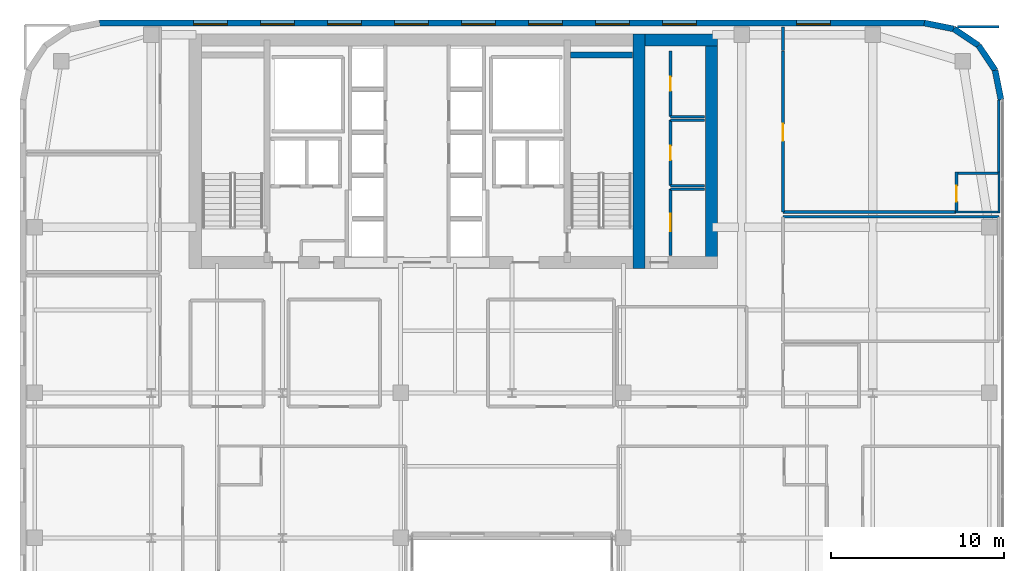
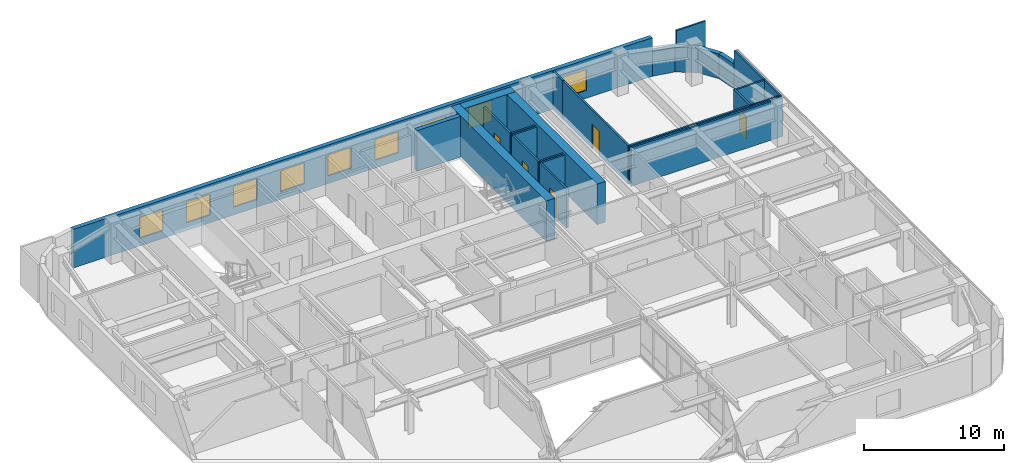
# One storey, part 22 of 25: 26 walls, 9 windows, 5 doors, 14 openings.
"""IFC4 building model written with IfcOpenShell, lengths in metres."""

from ifc_helpers import new_model, si_unit, direction, frame, frame_2d, origin, place, context, subcontext, project, spatial, rectangle, extrude, source, transform, mapped, material, layer, layer_set, type_object, type_shapes, element, fill, save


model = new_model("IFC4")

# Units and contexts
model_context = context("Model", 3, precision=1e-05, world=origin(), true_north=direction((0.0, 1.0)))
body_context = subcontext(model_context, "Body", "Model", "MODEL_VIEW")
ifc_project = project(units=[si_unit("LENGTHUNIT", "METRE"), si_unit("AREAUNIT", "SQUARE_METRE"), si_unit("VOLUMEUNIT", "CUBIC_METRE"), si_unit("PLANEANGLEUNIT", "RADIAN"), si_unit("MASSUNIT", "GRAM", prefix="KILO")], contexts=[model_context])

# Site, building, storey
site_placement = place(None, origin())
site = spatial("IfcSite", under=ifc_project, at=site_placement, CompositionType="ELEMENT")
building_placement = place(site_placement, origin())
building = spatial("IfcBuilding", under=site, at=building_placement, Name="Tolvann Quenvar Hotel", CompositionType="ELEMENT")
storey_placement = place(building_placement, frame((0.0, 0.0, 122.199951171875)))
storey = spatial("IfcBuildingStorey", under=building, at=storey_placement, Name="L31", CompositionType="ELEMENT", Elevation=122.199951171875)

# Walls
ifc_material_1 = material(Name="Concrete S65 (65 MPa)", Category="concrete")
ifc_layer_1 = layer(ifc_material_1, 0.699951171875)
ifc_layer_set_1 = layer_set([ifc_layer_1], Name="Concrete S65 (65 MPa)")
wall_type_1 = type_object("IfcWallType", Name="WALL_CORE_700", PredefinedType="SHEAR", material=ifc_layer_set_1)
wall_1_placement = place(storey_placement, frame((35.85009765625, 31.60009765625, 0.0), z_axis=(0.0, 0.0, 1.0), x_axis=(0.0, 1.0, 0.0)))
element("IfcWall", 1, at=wall_1_placement, inside=storey, type_object=wall_type_1, Name="Rear Core E Shear Wall (L31)", PredefinedType="SHEAR", context=body_context, shape_type="SweptSolid", body=[
    extrude(rectangle(XDim=13.599853515625, YDim=0.699951171875, at=frame_2d((6.7998046875, 0.0))), origin(), (0.0, 0.0, 1.0), 3.550048828125),
])
wall_2_placement = place(storey_placement, frame((36.199951171875, 44.85009765625, 0.0), z_axis=(0.0, 0.0, 1.0), x_axis=(1.0, 0.0, 0.0)))
element("IfcWall", 2, at=wall_2_placement, inside=storey, type_object=wall_type_1, Name="Core East Annex Shear Wall ANN-N (L31)", PredefinedType="SHEAR", context=body_context, shape_type="SweptSolid", body=[
    extrude(rectangle(XDim=4.199951171875, YDim=0.699951171875, at=frame_2d((2.10009765625, 0.0))), origin(), (0.0, 0.0, 1.0), 3.550048828125),
])
wall_3_placement = place(storey_placement, frame((40.050048828125, 31.60009765625, 0.0), z_axis=(0.0, 0.0, 1.0), x_axis=(0.0, 1.0, 0.0)))
element("IfcWall", 3, at=wall_3_placement, inside=storey, type_object=wall_type_1, Name="Core East Annex Shear Wall ANN-E (L31)", PredefinedType="SHEAR", context=body_context, shape_type="SweptSolid", body=[
    extrude(rectangle(XDim=13.599853515625, YDim=0.699951171875, at=frame_2d((6.7998046875, 0.0))), origin(), (0.0, 0.0, 1.0), 3.550048828125),
])
ifc_layer_2 = layer(ifc_material_1, 0.35009765625)
ifc_layer_set_2 = layer_set([ifc_layer_2], Name="Concrete S65 (65 MPa)")
wall_type_2 = type_object("IfcWallType", Name="WALL_CORE_INT_350", PredefinedType="SHEAR", material=ifc_layer_set_2)
wall_4_placement = place(storey_placement, frame((31.8798828125, 43.97509765625, 0.0), z_axis=(0.0, 0.0, 1.0), x_axis=(1.0, 0.0, 0.0)))
element("IfcWall", 4, at=wall_4_placement, inside=storey, type_object=wall_type_2, Name="Core Stair North Closing Shear Wall STC2-N (L31)", PredefinedType="SHEAR", context=body_context, shape_type="SweptSolid", body=[
    extrude(rectangle(XDim=3.60009765625, YDim=0.35009765625, at=frame_2d((1.800048828125, 0.0))), origin(), (0.0, 0.0, 1.0), 3.550048828125),
])
ifc_material_2 = material(Name="Kiln-fired red and buff architectural clay brickwork and terracotta masonry", Category="masonry")
ifc_layer_3 = layer(ifc_material_2, 0.35009765625)
ifc_layer_set_3 = layer_set([ifc_layer_3], Name="Kiln-fired red and buff architectural clay brickwork and terracotta masonry")
wall_type_3 = type_object("IfcWallType", Name="WALL_EXT_BRICK_350", PredefinedType="SOLIDWALL", material=ifc_layer_set_3)
wall_5_placement = place(storey_placement, frame((56.824951171875, 41.3828125, 0.0), z_axis=(0.0, 0.0, 1.0), x_axis=(-0.195011420161, 0.980800971659, 0.0)))
element("IfcWall", 5, at=wall_5_placement, inside=storey, type_object=wall_type_3, Name="Exterior Chicago Brick Wall L31-E14", PredefinedType="SOLIDWALL", context=body_context, shape_type="SweptSolid", body=[
    extrude(rectangle(XDim=1.74267578125, YDim=0.35009765625, at=frame_2d((0.871337890625, 0.0))), origin(), (0.0, 0.0, 1.0), 2.16015625),
])
for number, where, z_axis, x_axis, name in (
    (6, (56.485107421875, 43.092041015625, 0.0), (0.0, 0.0, 1.0), (-0.55554893791, 0.831483840845, 0.0), "Exterior Chicago Brick Wall L31-E15"),
    (7, (55.526611328125, 44.526611328125, 0.0), (0.0, 0.0, 1.0), (-0.831483840845, 0.55554893791, 0.0), "Exterior Chicago Brick Wall L31-E16"),
):
    element("IfcWall", number, at=place(storey_placement, frame(where, z_axis=z_axis, x_axis=x_axis)), inside=storey, type_object=wall_type_3, Name=name, PredefinedType="SOLIDWALL", context=body_context, shape_type="SweptSolid", body=[
        extrude(rectangle(XDim=1.725341796875, YDim=0.35009765625, at=frame_2d((0.86279296875, 0.0))), origin(), (0.0, 0.0, 1.0), 2.16015625),
    ])
wall_6_placement = place(storey_placement, frame((54.092041015625, 45.485107421875, 0.0), z_axis=(0.0, 0.0, 1.0), x_axis=(-0.980800971659, 0.195011420161, 0.0)))
element("IfcWall", 8, at=wall_6_placement, inside=storey, type_object=wall_type_3, Name="Exterior Chicago Brick Wall L31-E17", PredefinedType="SOLIDWALL", context=body_context, shape_type="SweptSolid", body=[
    extrude(rectangle(XDim=1.74267578125, YDim=0.35009765625, at=frame_2d((0.871337890625, 0.0))), origin(), (0.0, 0.0, 1.0), 2.16015625),
])

# Wall, openings, windows
wall_7_placement = place(storey_placement, frame((52.3828125, 45.824951171875, 0.0), z_axis=(0.0, 0.0, 1.0), x_axis=(-1.0, 0.0, 0.0)))
wall_7 = element("IfcWall", 9, at=wall_7_placement, inside=storey, type_object=wall_type_3, Name="Exterior Chicago Brick Wall L31-E18", PredefinedType="SOLIDWALL", context=body_context, shape_type="SweptSolid", body=[
    extrude(rectangle(XDim=47.765625, YDim=0.35009765625, at=frame_2d((23.8828125, 0.0))), origin(), (0.0, 0.0, 1.0), 3.3701171875),
])
opening_1_placement = place(wall_7_placement, frame((5.446044921875, 0.0, 0.679931640625)))
opening_1 = element("IfcOpeningElement", 10, at=opening_1_placement, cuts=wall_7, Name="Opening W-10", PredefinedType="OPENING", context=body_context, shape_type="SweptSolid", body=[
    extrude(rectangle(XDim=1.949951171875, YDim=1.820068359375, at=frame_2d((0.97509765625, 0.91015625))), frame((0.0, 0.18505859375, 0.0), z_axis=(0.0, -1.0, 0.0), x_axis=(1.0, 0.0, 0.0)), (0.0, 0.0, 1.0), 0.3701171875),
])
opening_2_placement = place(wall_7_placement, frame((13.20703125, 0.0, 0.679931640625)))
opening_2 = element("IfcOpeningElement", 11, at=opening_2_placement, cuts=wall_7, Name="Opening W-10", PredefinedType="OPENING", context=body_context, shape_type="SweptSolid", body=[
    extrude(rectangle(XDim=1.949951171875, YDim=1.820068359375, at=frame_2d((0.97509765625, 0.91015625))), frame((0.0, 0.18505859375, 0.0), z_axis=(0.0, -1.0, 0.0), x_axis=(1.0, 0.0, 0.0)), (0.0, 0.0, 1.0), 0.3701171875),
])
opening_3_placement = place(wall_7_placement, frame((17.0869140625, 0.0, 0.679931640625)))
opening_3 = element("IfcOpeningElement", 12, at=opening_3_placement, cuts=wall_7, Name="Opening W-10", PredefinedType="OPENING", context=body_context, shape_type="SweptSolid", body=[
    extrude(rectangle(XDim=1.949951171875, YDim=1.820068359375, at=frame_2d((0.97509765625, 0.91015625))), frame((0.0, 0.18505859375, 0.0), z_axis=(0.0, -1.0, 0.0), x_axis=(1.0, 0.0, 0.0)), (0.0, 0.0, 1.0), 0.3701171875),
])
opening_4_placement = place(wall_7_placement, frame((20.968017578125, 0.0, 0.679931640625)))
opening_4 = element("IfcOpeningElement", 13, at=opening_4_placement, cuts=wall_7, Name="Opening W-10", PredefinedType="OPENING", context=body_context, shape_type="SweptSolid", body=[
    extrude(rectangle(XDim=1.949951171875, YDim=1.820068359375, at=frame_2d((0.97509765625, 0.91015625))), frame((0.0, 0.18505859375, 0.0), z_axis=(0.0, -1.0, 0.0), x_axis=(1.0, 0.0, 0.0)), (0.0, 0.0, 1.0), 0.3701171875),
])
opening_5_placement = place(wall_7_placement, frame((24.847900390625, 0.0, 0.679931640625)))
opening_5 = element("IfcOpeningElement", 14, at=opening_5_placement, cuts=wall_7, Name="Opening W-10", PredefinedType="OPENING", context=body_context, shape_type="SweptSolid", body=[
    extrude(rectangle(XDim=1.949951171875, YDim=1.820068359375, at=frame_2d((0.97509765625, 0.91015625))), frame((0.0, 0.18505859375, 0.0), z_axis=(0.0, -1.0, 0.0), x_axis=(1.0, 0.0, 0.0)), (0.0, 0.0, 1.0), 0.3701171875),
])
opening_6_placement = place(wall_7_placement, frame((28.72900390625, 0.0, 0.679931640625)))
opening_6 = element("IfcOpeningElement", 15, at=opening_6_placement, cuts=wall_7, Name="Opening W-10", PredefinedType="OPENING", context=body_context, shape_type="SweptSolid", body=[
    extrude(rectangle(XDim=1.949951171875, YDim=1.820068359375, at=frame_2d((0.97509765625, 0.91015625))), frame((0.0, 0.18505859375, 0.0), z_axis=(0.0, -1.0, 0.0), x_axis=(1.0, 0.0, 0.0)), (0.0, 0.0, 1.0), 0.3701171875),
])
opening_7_placement = place(wall_7_placement, frame((32.60888671875, 0.0, 0.679931640625)))
opening_7 = element("IfcOpeningElement", 16, at=opening_7_placement, cuts=wall_7, Name="Opening W-10", PredefinedType="OPENING", context=body_context, shape_type="SweptSolid", body=[
    extrude(rectangle(XDim=1.949951171875, YDim=1.820068359375, at=frame_2d((0.97509765625, 0.91015625))), frame((0.0, 0.18505859375, 0.0), z_axis=(0.0, -1.0, 0.0), x_axis=(1.0, 0.0, 0.0)), (0.0, 0.0, 1.0), 0.3701171875),
])
opening_8_placement = place(wall_7_placement, frame((36.489013671875, 0.0, 0.679931640625)))
opening_8 = element("IfcOpeningElement", 17, at=opening_8_placement, cuts=wall_7, Name="Opening W-10", PredefinedType="OPENING", context=body_context, shape_type="SweptSolid", body=[
    extrude(rectangle(XDim=1.949951171875, YDim=1.820068359375, at=frame_2d((0.97509765625, 0.91015625))), frame((0.0, 0.18505859375, 0.0), z_axis=(0.0, -1.0, 0.0), x_axis=(1.0, 0.0, 0.0)), (0.0, 0.0, 1.0), 0.3701171875),
])
opening_9_placement = place(wall_7_placement, frame((40.3701171875, 0.0, 0.679931640625)))
opening_9 = element("IfcOpeningElement", 18, at=opening_9_placement, cuts=wall_7, Name="Opening W-10", PredefinedType="OPENING", context=body_context, shape_type="SweptSolid", body=[
    extrude(rectangle(XDim=1.949951171875, YDim=1.820068359375, at=frame_2d((0.97509765625, 0.91015625))), frame((0.0, 0.18505859375, 0.0), z_axis=(0.0, -1.0, 0.0), x_axis=(1.0, 0.0, 0.0)), (0.0, 0.0, 1.0), 0.3701171875),
])
ifc_material_3 = material(Name="Thermally broken bronze-anodised aluminium frame with double low-E glazing", Category="aluminium")
window_type = type_object("IfcWindowType", Name="WIN_CLB_1950x1850", PartitioningType="DOUBLE_PANEL_VERTICAL", PredefinedType="WINDOW", material=ifc_material_3)
shared_shape_1 = source(origin(), body_context, "Body", "SweptSolid", [
    extrude(rectangle(XDim=1.949951171875, YDim=1.820068359375, at=frame_2d((0.97509765625, 0.91015625))), frame((0.0, 0.090087890625, 0.0), z_axis=(0.0, -1.0, 0.0), x_axis=(1.0, 0.0, 0.0)), (0.0, 0.0, 1.0), 0.06005859375),
])
type_shapes(window_type, [shared_shape_1])
window_1_placement = place(opening_1_placement, origin())
window_1 = element("IfcWindow", 19, at=window_1_placement, inside=storey, type_object=window_type, Name="Chicago Window W-10 (EW-L31-E18-W01)", OverallHeight=1.820068359375, OverallWidth=1.949951171875, PartitioningType="DOUBLE_PANEL_VERTICAL", PredefinedType="WINDOW", context=body_context, shape_type="MappedRepresentation", body=[
    mapped(shared_shape_1, transform((0.0, 0.0, 0.0), x_axis=(1.0, 0.0, 0.0), y_axis=(0.0, 1.0, 0.0), z_axis=(0.0, 0.0, 1.0), scale=1.0)),
])
fill(opening_1, window_1)
window_2_placement = place(opening_2_placement, origin())
window_2 = element("IfcWindow", 20, at=window_2_placement, inside=storey, type_object=window_type, Name="Chicago Window W-10 (EW-L31-E18-W02)", OverallHeight=1.820068359375, OverallWidth=1.949951171875, PartitioningType="DOUBLE_PANEL_VERTICAL", PredefinedType="WINDOW", context=body_context, shape_type="MappedRepresentation", body=[
    mapped(shared_shape_1, transform((0.0, 0.0, 0.0), x_axis=(1.0, 0.0, 0.0), y_axis=(0.0, 1.0, 0.0), z_axis=(0.0, 0.0, 1.0), scale=1.0)),
])
fill(opening_2, window_2)
window_3_placement = place(opening_3_placement, origin())
window_3 = element("IfcWindow", 21, at=window_3_placement, inside=storey, type_object=window_type, Name="Chicago Window W-10 (EW-L31-E18-W03)", OverallHeight=1.820068359375, OverallWidth=1.949951171875, PartitioningType="DOUBLE_PANEL_VERTICAL", PredefinedType="WINDOW", context=body_context, shape_type="MappedRepresentation", body=[
    mapped(shared_shape_1, transform((0.0, 0.0, 0.0), x_axis=(1.0, 0.0, 0.0), y_axis=(0.0, 1.0, 0.0), z_axis=(0.0, 0.0, 1.0), scale=1.0)),
])
fill(opening_3, window_3)
window_4_placement = place(opening_4_placement, origin())
window_4 = element("IfcWindow", 22, at=window_4_placement, inside=storey, type_object=window_type, Name="Chicago Window W-10 (EW-L31-E18-W04)", OverallHeight=1.820068359375, OverallWidth=1.949951171875, PartitioningType="DOUBLE_PANEL_VERTICAL", PredefinedType="WINDOW", context=body_context, shape_type="MappedRepresentation", body=[
    mapped(shared_shape_1, transform((0.0, 0.0, 0.0), x_axis=(1.0, 0.0, 0.0), y_axis=(0.0, 1.0, 0.0), z_axis=(0.0, 0.0, 1.0), scale=1.0)),
])
fill(opening_4, window_4)
window_5_placement = place(opening_5_placement, origin())
window_5 = element("IfcWindow", 23, at=window_5_placement, inside=storey, type_object=window_type, Name="Chicago Window W-10 (EW-L31-E18-W05)", OverallHeight=1.820068359375, OverallWidth=1.949951171875, PartitioningType="DOUBLE_PANEL_VERTICAL", PredefinedType="WINDOW", context=body_context, shape_type="MappedRepresentation", body=[
    mapped(shared_shape_1, transform((0.0, 0.0, 0.0), x_axis=(1.0, 0.0, 0.0), y_axis=(0.0, 1.0, 0.0), z_axis=(0.0, 0.0, 1.0), scale=1.0)),
])
fill(opening_5, window_5)
window_6_placement = place(opening_6_placement, origin())
window_6 = element("IfcWindow", 24, at=window_6_placement, inside=storey, type_object=window_type, Name="Chicago Window W-10 (EW-L31-E18-W06)", OverallHeight=1.820068359375, OverallWidth=1.949951171875, PartitioningType="DOUBLE_PANEL_VERTICAL", PredefinedType="WINDOW", context=body_context, shape_type="MappedRepresentation", body=[
    mapped(shared_shape_1, transform((0.0, 0.0, 0.0), x_axis=(1.0, 0.0, 0.0), y_axis=(0.0, 1.0, 0.0), z_axis=(0.0, 0.0, 1.0), scale=1.0)),
])
fill(opening_6, window_6)
window_7_placement = place(opening_7_placement, origin())
window_7 = element("IfcWindow", 25, at=window_7_placement, inside=storey, type_object=window_type, Name="Chicago Window W-10 (EW-L31-E18-W07)", OverallHeight=1.820068359375, OverallWidth=1.949951171875, PartitioningType="DOUBLE_PANEL_VERTICAL", PredefinedType="WINDOW", context=body_context, shape_type="MappedRepresentation", body=[
    mapped(shared_shape_1, transform((0.0, 0.0, 0.0), x_axis=(1.0, 0.0, 0.0), y_axis=(0.0, 1.0, 0.0), z_axis=(0.0, 0.0, 1.0), scale=1.0)),
])
fill(opening_7, window_7)
window_8_placement = place(opening_8_placement, origin())
window_8 = element("IfcWindow", 26, at=window_8_placement, inside=storey, type_object=window_type, Name="Chicago Window W-10 (EW-L31-E18-W08)", OverallHeight=1.820068359375, OverallWidth=1.949951171875, PartitioningType="DOUBLE_PANEL_VERTICAL", PredefinedType="WINDOW", context=body_context, shape_type="MappedRepresentation", body=[
    mapped(shared_shape_1, transform((0.0, 0.0, 0.0), x_axis=(1.0, 0.0, 0.0), y_axis=(0.0, 1.0, 0.0), z_axis=(0.0, 0.0, 1.0), scale=1.0)),
])
fill(opening_8, window_8)
window_9_placement = place(opening_9_placement, origin())
window_9 = element("IfcWindow", 27, at=window_9_placement, inside=storey, type_object=window_type, Name="Chicago Window W-10 (EW-L31-E18-W09)", OverallHeight=1.820068359375, OverallWidth=1.949951171875, PartitioningType="DOUBLE_PANEL_VERTICAL", PredefinedType="WINDOW", context=body_context, shape_type="MappedRepresentation", body=[
    mapped(shared_shape_1, transform((0.0, 0.0, 0.0), x_axis=(1.0, 0.0, 0.0), y_axis=(0.0, 1.0, 0.0), z_axis=(0.0, 0.0, 1.0), scale=1.0)),
])
fill(opening_9, window_9)

# Walls
ifc_material_4 = material(Name="Moisture-resistant acoustic plumbing wall assembly")
ifc_layer_4 = layer(ifc_material_4, 0.1201171875)
ifc_layer_set_4 = layer_set([ifc_layer_4], Name="Moisture-resistant acoustic plumbing wall assembly")
wall_type_4 = type_object("IfcWallType", Name="WALL_PART_BATH_120", PredefinedType="PLUMBINGWALL", material=ifc_layer_set_4)
wall_8_placement = place(storey_placement, frame((54.179931640625, 34.8798828125, 0.0), z_axis=(0.0, 0.0, 1.0), x_axis=(1.0, 0.0, 0.0)))
element("IfcWall", 28, at=wall_8_placement, inside=storey, type_object=wall_type_4, Name="Non-Rated Plumbing Partition PT-SPC-L31-ENS-NE01-S", PredefinedType="PLUMBINGWALL", context=body_context, shape_type="SweptSolid", body=[
    extrude(rectangle(XDim=2.590087890625, YDim=0.1201171875, at=frame_2d((1.294921875, 0.0))), origin(), (0.0, 0.0, 1.0), 3.3701171875),
])
wall_9_placement = place(storey_placement, frame((56.699951171875, 34.81005859375, 0.0), z_axis=(0.0, 0.0, 1.0), x_axis=(0.0, 1.0, 0.0)))
element("IfcWall", 29, at=wall_9_placement, inside=storey, type_object=wall_type_4, Name="Non-Rated Plumbing Partition PT-SPC-L31-ENS-NE01-E", PredefinedType="PLUMBINGWALL", context=body_context, shape_type="SweptSolid", body=[
    extrude(rectangle(XDim=2.389892578125, YDim=0.1201171875, at=frame_2d((1.19482421875, 0.0))), origin(), (0.0, 0.0, 1.0), 3.3701171875),
])

# Wall, opening, door
ifc_material_5 = material(Name="Acoustic twin-stud fire-rated gypsum plasterboard partition")
ifc_layer_5 = layer(ifc_material_5, 0.14990234375)
ifc_layer_set_5 = layer_set([ifc_layer_5], Name="Acoustic twin-stud fire-rated gypsum plasterboard partition")
wall_type_5 = type_object("IfcWallType", Name="WALL_PART_SUITE_150", PredefinedType="PARTITIONING", material=ifc_layer_set_5)
wall_10_placement = place(storey_placement, frame((54.25, 34.81005859375, 0.0), z_axis=(0.0, 0.0, 1.0), x_axis=(0.0, 1.0, 0.0)))
wall_10 = element("IfcWall", 30, at=wall_10_placement, inside=storey, type_object=wall_type_5, Name="Interior Partition PT-SPC-L31-ENS-NE01-ENT", PredefinedType="PARTITIONING", context=body_context, shape_type="SweptSolid", body=[
    extrude(rectangle(XDim=2.389892578125, YDim=0.14990234375, at=frame_2d((1.19482421875, 0.0))), origin(), (0.0, 0.0, 1.0), 3.3701171875),
])
opening_10_placement = place(wall_10_placement, frame((0.6650390625, 0.0, 0.0)))
opening_10 = element("IfcOpeningElement", 31, at=opening_10_placement, cuts=wall_10, Name="Opening WD-01", PredefinedType="OPENING", context=body_context, shape_type="SweptSolid", body=[
    extrude(rectangle(XDim=0.919921875, YDim=2.010009765625, at=frame_2d((0.4599609375, 1.0048828125))), frame((0.0, 0.0849609375, 0.0), z_axis=(0.0, -1.0, 0.0), x_axis=(1.0, 0.0, 0.0)), (0.0, 0.0, 1.0), 0.169921875),
])
ifc_material_6 = material(Name="Solid-core American oak acoustic fire door leaf in steel frame", Category="steel")
door_type_1 = type_object("IfcDoorType", Name="DOOR_WC_920", OperationType="NOTDEFINED", PredefinedType="DOOR", material=ifc_material_6)
shared_shape_2 = source(origin(), body_context, "Body", "SweptSolid", [
    extrude(rectangle(XDim=0.919921875, YDim=2.010009765625, at=frame_2d((0.4599609375, 1.0048828125))), frame((0.0, 0.02490234375, 0.0), z_axis=(0.0, -1.0, 0.0), x_axis=(1.0, 0.0, 0.0)), (0.0, 0.0, 1.0), 0.050048828125),
])
type_shapes(door_type_1, [shared_shape_2])
door_1_placement = place(opening_10_placement, origin())
door_1 = element("IfcDoor", 32, at=door_1_placement, inside=storey, type_object=door_type_1, Name="Interior Door DOOR-SPC-L31-ENS-NE01", OperationType="SINGLE_SWING_LEFT", OverallHeight=2.010009765625, OverallWidth=0.919921875, PredefinedType="DOOR", context=body_context, shape_type="MappedRepresentation", body=[
    mapped(shared_shape_2, transform((0.0, 0.0, 0.0), x_axis=(1.0, 0.0, 0.0), y_axis=(0.0, 1.0, 0.0), z_axis=(0.0, 0.0, 1.0), scale=1.0)),
])
fill(opening_10, door_1)

# Walls
wall_11_placement = place(storey_placement, frame((54.179931640625, 37.1298828125, 0.0), z_axis=(0.0, 0.0, 1.0), x_axis=(1.0, 0.0, 0.0)))
element("IfcWall", 33, at=wall_11_placement, inside=storey, type_object=wall_type_5, Name="Interior Partition PT-SPC-L31-ENS-NE01-N", PredefinedType="PARTITIONING", context=body_context, shape_type="SweptSolid", body=[
    extrude(rectangle(XDim=2.590087890625, YDim=0.14990234375, at=frame_2d((1.294921875, 0.0))), origin(), (0.0, 0.0, 1.0), 3.3701171875),
])
wall_12_placement = place(storey_placement, frame((37.679931640625, 36.199951171875, 0.0), z_axis=(0.0, 0.0, 1.0), x_axis=(1.0, 0.0, 0.0)))
element("IfcWall", 34, at=wall_12_placement, inside=storey, type_object=wall_type_5, Name="Interior Partition PT-SPC-L31-RECPL-1-N", PredefinedType="PARTITIONING", context=body_context, shape_type="SweptSolid", body=[
    extrude(rectangle(XDim=1.965087890625, YDim=0.14990234375, at=frame_2d((0.982421875, 0.0))), origin(), (0.0, 0.0, 1.0), 3.3701171875),
])

# Wall, opening, door
wall_13_placement = place(storey_placement, frame((37.679931640625, 32.35498046875, 0.0), z_axis=(0.0, 0.0, 1.0), x_axis=(0.0, 1.0, 0.0)))
wall_13 = element("IfcWall", 35, at=wall_13_placement, inside=storey, type_object=wall_type_5, Name="Interior Partition PT-SPC-L31-RECPL-1-W", PredefinedType="PARTITIONING", context=body_context, shape_type="SweptSolid", body=[
    extrude(rectangle(XDim=3.844970703125, YDim=0.14990234375, at=frame_2d((1.92236328125, 0.0))), origin(), (0.0, 0.0, 1.0), 3.3701171875),
])
opening_11_placement = place(wall_13_placement, frame((1.41259765625, 0.0, 0.0)))
opening_11 = element("IfcOpeningElement", 36, at=opening_11_placement, cuts=wall_13, Name="Opening HD-01", PredefinedType="OPENING", context=body_context, shape_type="SweptSolid", body=[
    extrude(rectangle(XDim=1.02001953125, YDim=2.030029296875, at=frame_2d((0.510009765625, 1.01513671875))), frame((0.0, 0.0849609375, 0.0), z_axis=(0.0, -1.0, 0.0), x_axis=(1.0, 0.0, 0.0)), (0.0, 0.0, 1.0), 0.169921875),
])
ifc_material_7 = material(Name="Pressed galvanised steel fire-rated door set", Category="steel")
door_type_2 = type_object("IfcDoorType", Name="DOOR_BOH_1020", OperationType="NOTDEFINED", PredefinedType="DOOR", material=ifc_material_7)
shared_shape_3 = source(origin(), body_context, "Body", "SweptSolid", [
    extrude(rectangle(XDim=1.02001953125, YDim=2.030029296875, at=frame_2d((0.510009765625, 1.01513671875))), frame((0.0, 0.02490234375, 0.0), z_axis=(0.0, -1.0, 0.0), x_axis=(1.0, 0.0, 0.0)), (0.0, 0.0, 1.0), 0.050048828125),
])
type_shapes(door_type_2, [shared_shape_3])
door_2_placement = place(opening_11_placement, origin())
door_2 = element("IfcDoor", 37, at=door_2_placement, inside=storey, type_object=door_type_2, Name="Interior Door DOOR-SPC-L31-RECPL-1", OperationType="SINGLE_SWING_RIGHT", OverallHeight=2.030029296875, OverallWidth=1.02001953125, PredefinedType="DOOR", context=body_context, shape_type="MappedRepresentation", body=[
    mapped(shared_shape_3, transform((0.0, 0.0, 0.0), x_axis=(1.0, 0.0, 0.0), y_axis=(0.0, 1.0, 0.0), z_axis=(0.0, 0.0, 1.0), scale=1.0)),
])
fill(opening_11, door_2)

# Walls
for number, where, z_axis, x_axis, name in (
    (38, (37.679931640625, 36.39990234375, 0.0), (0.0, 0.0, 1.0), (1.0, 0.0, 0.0), "Interior Partition PT-SPC-L31-CSE-1-S"),
    (39, (37.679931640625, 40.199951171875, 0.0), (0.0, 0.0, 1.0), (1.0, 0.0, 0.0), "Interior Partition PT-SPC-L31-CSE-1-N"),
):
    element("IfcWall", number, at=place(storey_placement, frame(where, z_axis=z_axis, x_axis=x_axis)), inside=storey, type_object=wall_type_5, Name=name, PredefinedType="PARTITIONING", context=body_context, shape_type="SweptSolid", body=[
        extrude(rectangle(XDim=1.965087890625, YDim=0.14990234375, at=frame_2d((0.982421875, 0.0))), origin(), (0.0, 0.0, 1.0), 3.3701171875),
    ])

# Wall, opening, door
wall_14_placement = place(storey_placement, frame((37.679931640625, 36.39990234375, 0.0), z_axis=(0.0, 0.0, 1.0), x_axis=(0.0, 1.0, 0.0)))
wall_14 = element("IfcWall", 40, at=wall_14_placement, inside=storey, type_object=wall_type_5, Name="Interior Partition PT-SPC-L31-CSE-1-W", PredefinedType="PARTITIONING", context=body_context, shape_type="SweptSolid", body=[
    extrude(rectangle(XDim=3.800048828125, YDim=0.14990234375, at=frame_2d((1.89990234375, 0.0))), origin(), (0.0, 0.0, 1.0), 3.3701171875),
])
opening_12_placement = place(wall_14_placement, frame((1.489990234375, 0.0, 0.0)))
opening_12 = element("IfcOpeningElement", 41, at=opening_12_placement, cuts=wall_14, Name="Opening HD-02", PredefinedType="OPENING", context=body_context, shape_type="SweptSolid", body=[
    extrude(rectangle(XDim=0.820068359375, YDim=2.010009765625, at=frame_2d((0.41015625, 1.0048828125))), frame((0.0, 0.0849609375, 0.0), z_axis=(0.0, -1.0, 0.0), x_axis=(1.0, 0.0, 0.0)), (0.0, 0.0, 1.0), 0.169921875),
])
door_type_3 = type_object("IfcDoorType", Name="DOOR_STORE_820", OperationType="NOTDEFINED", PredefinedType="DOOR", material=ifc_material_7)
shared_shape_4 = source(origin(), body_context, "Body", "SweptSolid", [
    extrude(rectangle(XDim=0.820068359375, YDim=2.010009765625, at=frame_2d((0.41015625, 1.0048828125))), frame((0.0, 0.02490234375, 0.0), z_axis=(0.0, -1.0, 0.0), x_axis=(1.0, 0.0, 0.0)), (0.0, 0.0, 1.0), 0.050048828125),
])
type_shapes(door_type_3, [shared_shape_4])
door_3_placement = place(opening_12_placement, origin())
door_3 = element("IfcDoor", 42, at=door_3_placement, inside=storey, type_object=door_type_3, Name="Interior Door DOOR-SPC-L31-CSE-1", OperationType="SINGLE_SWING_LEFT", OverallHeight=2.010009765625, OverallWidth=0.820068359375, PredefinedType="DOOR", context=body_context, shape_type="MappedRepresentation", body=[
    mapped(shared_shape_4, transform((0.0, 0.0, 0.0), x_axis=(1.0, 0.0, 0.0), y_axis=(0.0, 1.0, 0.0), z_axis=(0.0, 0.0, 1.0), scale=1.0)),
])
fill(opening_12, door_3)

# Wall
wall_15_placement = place(storey_placement, frame((37.679931640625, 40.39990234375, 0.0), z_axis=(0.0, 0.0, 1.0), x_axis=(1.0, 0.0, 0.0)))
element("IfcWall", 43, at=wall_15_placement, inside=storey, type_object=wall_type_5, Name="Interior Partition PT-SPC-L31-CSE-2-S", PredefinedType="PARTITIONING", context=body_context, shape_type="SweptSolid", body=[
    extrude(rectangle(XDim=1.965087890625, YDim=0.14990234375, at=frame_2d((0.982421875, 0.0))), origin(), (0.0, 0.0, 1.0), 3.3701171875),
])

# Wall, opening, door
wall_16_placement = place(storey_placement, frame((37.679931640625, 40.39990234375, 0.0), z_axis=(0.0, 0.0, 1.0), x_axis=(0.0, 1.0, 0.0)))
wall_16 = element("IfcWall", 44, at=wall_16_placement, inside=storey, type_object=wall_type_5, Name="Interior Partition PT-SPC-L31-CSE-2-W", PredefinedType="PARTITIONING", context=body_context, shape_type="SweptSolid", body=[
    extrude(rectangle(XDim=3.800048828125, YDim=0.14990234375, at=frame_2d((1.89990234375, 0.0))), origin(), (0.0, 0.0, 1.0), 3.3701171875),
])
opening_13_placement = place(wall_16_placement, frame((1.489990234375, 0.0, 0.0)))
opening_13 = element("IfcOpeningElement", 45, at=opening_13_placement, cuts=wall_16, Name="Opening HD-02", PredefinedType="OPENING", context=body_context, shape_type="SweptSolid", body=[
    extrude(rectangle(XDim=0.820068359375, YDim=2.010009765625, at=frame_2d((0.41015625, 1.0048828125))), frame((0.0, 0.0849609375, 0.0), z_axis=(0.0, -1.0, 0.0), x_axis=(1.0, 0.0, 0.0)), (0.0, 0.0, 1.0), 0.169921875),
])
door_4_placement = place(opening_13_placement, origin())
door_4 = element("IfcDoor", 46, at=door_4_placement, inside=storey, type_object=door_type_3, Name="Interior Door DOOR-SPC-L31-CSE-2", OperationType="SINGLE_SWING_RIGHT", OverallHeight=2.010009765625, OverallWidth=0.820068359375, PredefinedType="DOOR", context=body_context, shape_type="MappedRepresentation", body=[
    mapped(shared_shape_4, transform((0.0, 0.0, 0.0), x_axis=(1.0, 0.0, 0.0), y_axis=(0.0, 1.0, 0.0), z_axis=(0.0, 0.0, 1.0), scale=1.0)),
])
fill(opening_13, door_4)

# Wall
wall_17_placement = place(storey_placement, frame((44.199951171875, 34.60009765625, 0.0), z_axis=(0.0, 0.0, 1.0), x_axis=(1.0, 0.0, 0.0)))
element("IfcWall", 47, at=wall_17_placement, inside=storey, type_object=wall_type_5, Name="Interior Partition PT-SPC-L31-SPA-N", PredefinedType="PARTITIONING", context=body_context, shape_type="SweptSolid", body=[
    extrude(rectangle(XDim=12.5, YDim=0.14990234375, at=frame_2d((6.25, 0.0))), origin(), (0.0, 0.0, 1.0), 3.3701171875),
])

# Wall, opening, door
wall_18_placement = place(storey_placement, frame((44.199951171875, 34.8798828125, 0.0), z_axis=(0.0, 0.0, 1.0), x_axis=(0.0, 1.0, 0.0)))
wall_18 = element("IfcWall", 48, at=wall_18_placement, inside=storey, type_object=wall_type_5, Name="Interior Partition PT-SPC-L31-RM-NE01-ENT", PredefinedType="PARTITIONING", context=body_context, shape_type="SweptSolid", body=[
    extrude(rectangle(XDim=9.330078125, YDim=0.14990234375, at=frame_2d((4.6650390625, 0.0))), origin(), (0.0, 0.0, 1.0), 3.3701171875),
])
opening_14_placement = place(wall_18_placement, frame((4.1201171875, 0.0, 0.0)))
opening_14 = element("IfcOpeningElement", 49, at=opening_14_placement, cuts=wall_18, Name="Opening SD-01", PredefinedType="OPENING", context=body_context, shape_type="SweptSolid", body=[
    extrude(rectangle(XDim=0.97998046875, YDim=2.1201171875, at=frame_2d((0.489990234375, 1.06005859375))), frame((0.0, 0.0849609375, 0.0), z_axis=(0.0, -1.0, 0.0), x_axis=(1.0, 0.0, 0.0)), (0.0, 0.0, 1.0), 0.169921875),
])
door_type_4 = type_object("IfcDoorType", Name="DOOR_SUITE_980", OperationType="NOTDEFINED", PredefinedType="DOOR", material=ifc_material_6)
shared_shape_5 = source(origin(), body_context, "Body", "SweptSolid", [
    extrude(rectangle(XDim=0.97998046875, YDim=2.1201171875, at=frame_2d((0.489990234375, 1.06005859375))), frame((0.0, 0.02490234375, 0.0), z_axis=(0.0, -1.0, 0.0), x_axis=(1.0, 0.0, 0.0)), (0.0, 0.0, 1.0), 0.050048828125),
])
type_shapes(door_type_4, [shared_shape_5])
door_5_placement = place(opening_14_placement, origin())
door_5 = element("IfcDoor", 50, at=door_5_placement, inside=storey, type_object=door_type_4, Name="Interior Door DOOR-SPC-L31-RM-NE01", OperationType="SINGLE_SWING_RIGHT", OverallHeight=2.1201171875, OverallWidth=0.97998046875, PredefinedType="DOOR", context=body_context, shape_type="MappedRepresentation", body=[
    mapped(shared_shape_5, transform((0.0, 0.0, 0.0), x_axis=(1.0, 0.0, 0.0), y_axis=(0.0, 1.0, 0.0), z_axis=(0.0, 0.0, 1.0), scale=1.0)),
])
fill(opening_14, door_5)

# Walls
wall_19_placement = place(storey_placement, frame((44.199951171875, 34.8798828125, 0.0), z_axis=(0.0, 0.0, 1.0), x_axis=(1.0, 0.0, 0.0)))
element("IfcWall", 51, at=wall_19_placement, inside=storey, type_object=wall_type_5, Name="Interior Partition PT-SPC-L31-RM-NE01-E1", PredefinedType="PARTITIONING", context=body_context, shape_type="SweptSolid", body=[
    extrude(rectangle(XDim=10.030029296875, YDim=0.14990234375, at=frame_2d((5.01513671875, 0.0))), origin(), (0.0, 0.0, 1.0), 3.3701171875),
])
wall_20_placement = place(storey_placement, frame((56.699951171875, 37.14990234375, 0.0), z_axis=(0.0, 0.0, 1.0), x_axis=(0.0, 1.0, 0.0)))
element("IfcWall", 52, at=wall_20_placement, inside=storey, type_object=wall_type_5, Name="Interior Partition PT-SPC-L31-RM-NE01-E4", PredefinedType="PARTITIONING", context=body_context, shape_type="SweptSolid", body=[
    extrude(rectangle(XDim=4.2080078125, YDim=0.14990234375, at=frame_2d((2.10400390625, 0.0))), origin(), (0.0, 0.0, 1.0), 3.3701171875),
])
wall_21_placement = place(storey_placement, frame((54.303955078125, 45.6201171875, 0.0), z_axis=(0.0, 0.0, 1.0), x_axis=(1.0, 0.0, 0.0)))
element("IfcWall", 53, at=wall_21_placement, inside=storey, type_object=wall_type_5, Name="Interior Partition PT-SPC-L31-RM-NE01-E5", PredefinedType="PARTITIONING", context=body_context, shape_type="SweptSolid", body=[
    extrude(rectangle(XDim=2.39599609375, YDim=0.14990234375, at=frame_2d((1.197998046875, 0.0))), origin(), (0.0, 0.0, 1.0), 3.3701171875),
])
wall_22_placement = place(storey_placement, frame((44.199951171875, 44.219970703125, 0.0), z_axis=(0.0, 0.0, 1.0), x_axis=(0.0, 1.0, 0.0)))
element("IfcWall", 54, at=wall_22_placement, inside=storey, type_object=wall_type_5, Name="Interior Partition PT-SPC-L31-RM-NE01-E6", PredefinedType="PARTITIONING", context=body_context, shape_type="SweptSolid", body=[
    extrude(rectangle(XDim=1.375, YDim=0.14990234375, at=frame_2d((0.6875, 0.0))), origin(), (0.0, 0.0, 1.0), 3.3701171875),
])

save(model, "model.ifc")
